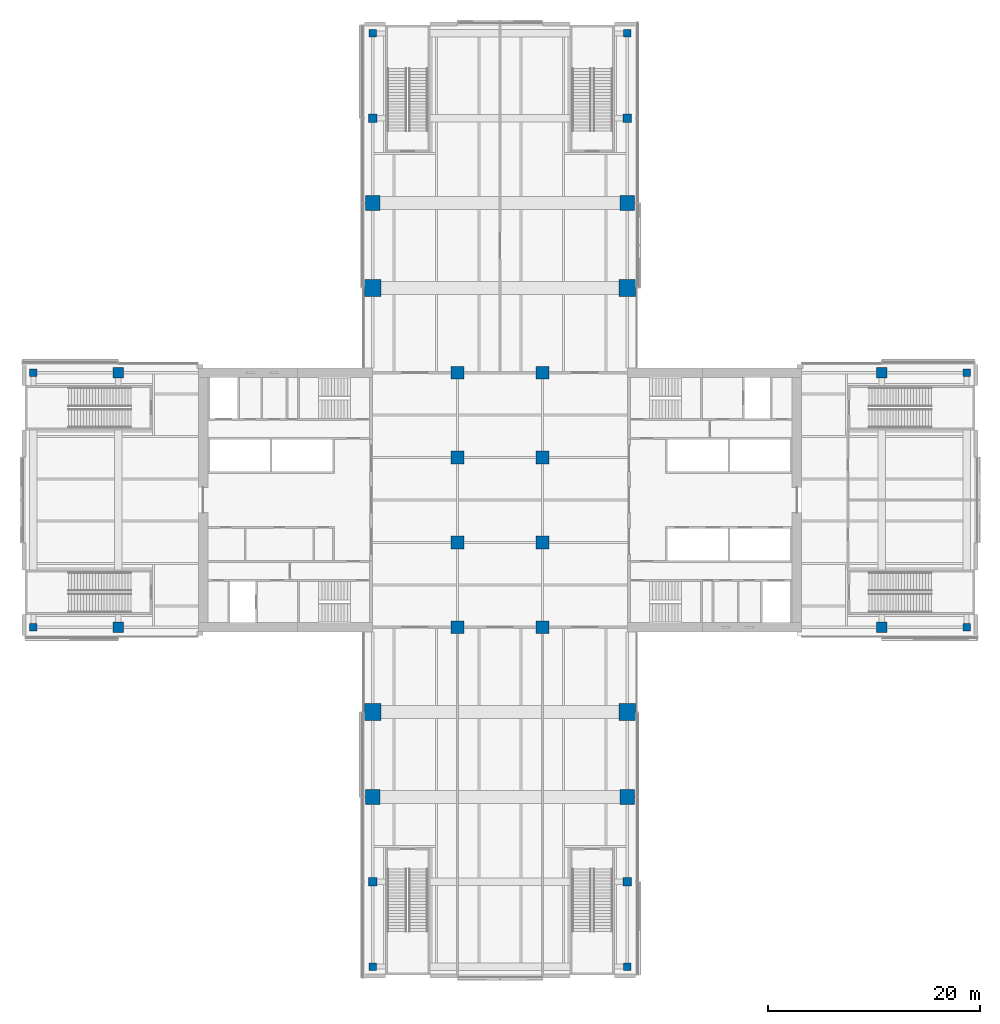
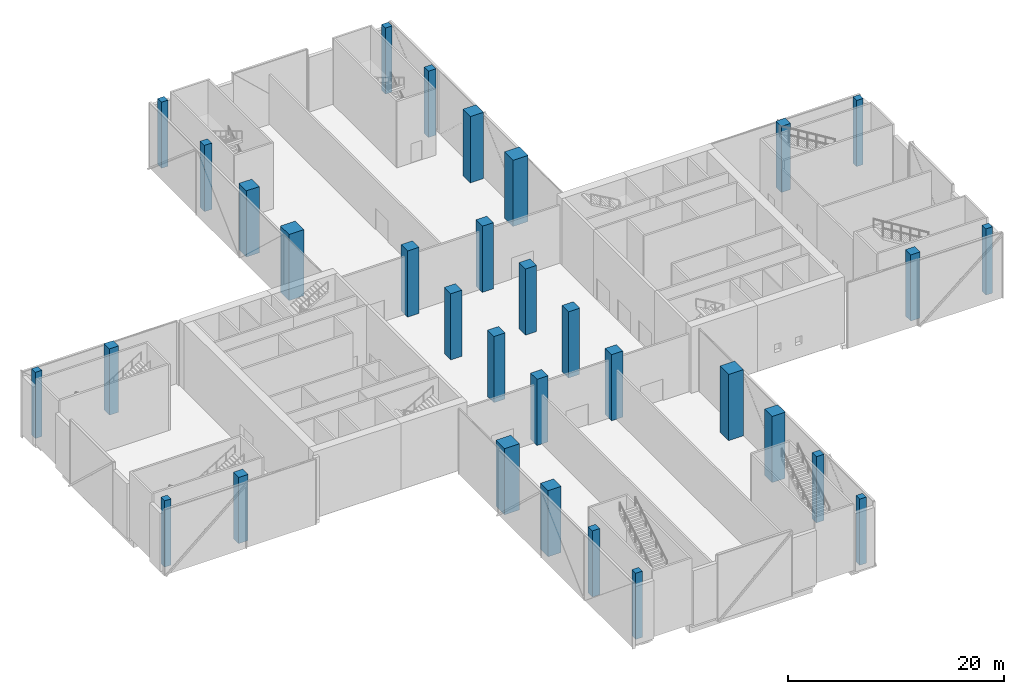
# One storey, part 1 of 25: 32 columns.
"""IFC4 building model written with IfcOpenShell, lengths in metres."""

from ifc_helpers import new_model, si_unit, direction, frame, origin, origin_2d, place, context, subcontext, project, spatial, rectangle, extrude, material, material_profile, profile_set, type_object, element, save


model = new_model("IFC4")

# Units and contexts
model_context = context("Model", 3, precision=1e-05, world=origin(), true_north=direction((0.0, 1.0)))
body_context = subcontext(model_context, "Body", "Model", "MODEL_VIEW")
ifc_project = project(units=[si_unit("LENGTHUNIT", "METRE"), si_unit("AREAUNIT", "SQUARE_METRE"), si_unit("VOLUMEUNIT", "CUBIC_METRE"), si_unit("PLANEANGLEUNIT", "RADIAN"), si_unit("MASSUNIT", "GRAM", prefix="KILO")], contexts=[model_context])

# Site, building, storey
site_placement = place(None, origin())
site = spatial("IfcSite", under=ifc_project, at=site_placement, CompositionType="ELEMENT")
building_placement = place(site_placement, origin())
building = spatial("IfcBuilding", under=site, at=building_placement, Name="Crosswind Convention Tower", CompositionType="ELEMENT")
storey_placement = place(building_placement, frame((0.0, 0.0, 17.5)))
storey = spatial("IfcBuildingStorey", under=building, at=storey_placement, Name="L02", CompositionType="ELEMENT", Elevation=17.5)

# Columns
ifc_material_1 = material(Name="Concrete C70/85", Category="concrete")
ifc_material_profile_1 = material_profile(ifc_material_1, rectangle(XDim=1.0, YDim=1.0, at=origin_2d()), Name="RC 1000X1000")
ifc_profile_set_1 = profile_set([ifc_material_profile_1], Name="Concrete C70/85")
column_type_1 = type_object("IfcColumnType", Name="Column RC 1000X1000", PredefinedType="COLUMN", material=ifc_profile_set_1)
for number, where, z_axis, x_axis, name in (
    (1, (89.0, 88.0, 0.0), (0.0, 0.0, 1.0), (1.0, 0.0, 0.0), "C12 L02 2/E"),
    (2, (89.0, 112.0, 0.0), (0.0, 0.0, 1.0), (1.0, 0.0, 0.0), "C12 L02 2/H"),
    (3, (161.0, 88.0, 0.0), (0.0, 0.0, 1.0), (1.0, 0.0, 0.0), "C12 L02 11/E"),
    (4, (161.0, 112.0, 0.0), (0.0, 0.0, 1.0), (1.0, 0.0, 0.0), "C12 L02 11/H"),
):
    element("IfcColumn", number, at=place(storey_placement, frame(where, z_axis=z_axis, x_axis=x_axis)), inside=storey, type_object=column_type_1, Name=name, PredefinedType="COLUMN", context=body_context, shape_type="SweptSolid", body=[
        extrude(rectangle(XDim=1.0, YDim=1.0, at=origin_2d()), origin(), (0.0, 0.0, 1.0), 7.5),
    ])
ifc_material_profile_2 = material_profile(ifc_material_1, rectangle(XDim=1.199951171875, YDim=1.199951171875, at=origin_2d()), Name="RC 1200X1200")
ifc_profile_set_2 = profile_set([ifc_material_profile_2], Name="Concrete C70/85")
column_type_2 = type_object("IfcColumnType", Name="Column RC 1200X1200", PredefinedType="COLUMN", material=ifc_profile_set_2)
for number, where, z_axis, x_axis, name in (
    (5, (121.0, 88.0, 0.0), (0.0, 0.0, 1.0), (1.0, 0.0, 0.0), "C11 L02 6/E"),
    (6, (121.0, 96.0, 0.0), (0.0, 0.0, 1.0), (1.0, 0.0, 0.0), "C11 L02 6/F"),
    (7, (121.0, 104.0, 0.0), (0.0, 0.0, 1.0), (1.0, 0.0, 0.0), "C11 L02 6/G"),
    (8, (121.0, 112.0, 0.0), (0.0, 0.0, 1.0), (1.0, 0.0, 0.0), "C11 L02 6/H"),
    (9, (129.0, 88.0, 0.0), (0.0, 0.0, 1.0), (1.0, 0.0, 0.0), "C11 L02 7/E"),
    (10, (129.0, 96.0, 0.0), (0.0, 0.0, 1.0), (1.0, 0.0, 0.0), "C11 L02 7/F"),
    (11, (129.0, 104.0, 0.0), (0.0, 0.0, 1.0), (1.0, 0.0, 0.0), "C11 L02 7/G"),
    (12, (129.0, 112.0, 0.0), (0.0, 0.0, 1.0), (1.0, 0.0, 0.0), "C11 L02 7/H"),
):
    element("IfcColumn", number, at=place(storey_placement, frame(where, z_axis=z_axis, x_axis=x_axis)), inside=storey, type_object=column_type_2, Name=name, PredefinedType="COLUMN", context=body_context, shape_type="SweptSolid", body=[
        extrude(rectangle(XDim=1.199951171875, YDim=1.199951171875, at=origin_2d()), origin(), (0.0, 0.0, 1.0), 7.5),
    ])
ifc_material_2 = material(Name="Concrete C80/95", Category="concrete")
ifc_material_profile_3 = material_profile(ifc_material_2, rectangle(XDim=1.39990234375, YDim=1.39990234375, at=origin_2d()), Name="RC 1400X1400")
ifc_profile_set_3 = profile_set([ifc_material_profile_3], Name="Concrete C80/95")
column_type_3 = type_object("IfcColumnType", Name="Column RC 1400X1400", PredefinedType="COLUMN", material=ifc_profile_set_3)
for number, where, z_axis, x_axis, name in (
    (13, (113.0, 72.0, 0.0), (0.0, 0.0, 1.0), (1.0, 0.0, 0.0), "C10 L02 5/C"),
    (14, (113.0, 128.0, 0.0), (0.0, 0.0, 1.0), (1.0, 0.0, 0.0), "C10 L02 5/J"),
    (15, (137.0, 72.0, 0.0), (0.0, 0.0, 1.0), (1.0, 0.0, 0.0), "C10 L02 8/C"),
    (16, (137.0, 128.0, 0.0), (0.0, 0.0, 1.0), (1.0, 0.0, 0.0), "C10 L02 8/J"),
):
    element("IfcColumn", number, at=place(storey_placement, frame(where, z_axis=z_axis, x_axis=x_axis)), inside=storey, type_object=column_type_3, Name=name, PredefinedType="COLUMN", context=body_context, shape_type="SweptSolid", body=[
        extrude(rectangle(XDim=1.39990234375, YDim=1.39990234375, at=origin_2d()), origin(), (0.0, 0.0, 1.0), 7.5),
    ])
ifc_material_profile_4 = material_profile(ifc_material_2, rectangle(XDim=1.60009765625, YDim=1.60009765625, at=origin_2d()), Name="RC 1600X1600")
ifc_profile_set_4 = profile_set([ifc_material_profile_4], Name="Concrete C80/95")
column_type_4 = type_object("IfcColumnType", Name="Column RC 1600X1600", PredefinedType="COLUMN", material=ifc_profile_set_4)
for number, where, z_axis, x_axis, name in (
    (17, (113.0, 80.0, 0.0), (0.0, 0.0, 1.0), (1.0, 0.0, 0.0), "C9 L02 5/D"),
    (18, (113.0, 120.0, 0.0), (0.0, 0.0, 1.0), (1.0, 0.0, 0.0), "C9 L02 5/I"),
    (19, (137.0, 80.0, 0.0), (0.0, 0.0, 1.0), (1.0, 0.0, 0.0), "C9 L02 8/D"),
    (20, (137.0, 120.0, 0.0), (0.0, 0.0, 1.0), (1.0, 0.0, 0.0), "C9 L02 8/I"),
):
    element("IfcColumn", number, at=place(storey_placement, frame(where, z_axis=z_axis, x_axis=x_axis)), inside=storey, type_object=column_type_4, Name=name, PredefinedType="COLUMN", context=body_context, shape_type="SweptSolid", body=[
        extrude(rectangle(XDim=1.60009765625, YDim=1.60009765625, at=origin_2d()), origin(), (0.0, 0.0, 1.0), 7.5),
    ])
ifc_material_3 = material(Name="Concrete C60/75", Category="concrete")
ifc_material_profile_5 = material_profile(ifc_material_3, rectangle(XDim=0.699951171875, YDim=0.699951171875, at=origin_2d()), Name="RC 700X700")
ifc_profile_set_5 = profile_set([ifc_material_profile_5], Name="Concrete C60/75")
column_type_5 = type_object("IfcColumnType", Name="Column RC 700X700", PredefinedType="COLUMN", material=ifc_profile_set_5)
for number, where, z_axis, x_axis, name in (
    (21, (81.0, 88.0, 0.0), (0.0, 0.0, 1.0), (1.0, 0.0, 0.0), "C15 L02 1/E"),
    (22, (81.0, 112.0, 0.0), (0.0, 0.0, 1.0), (1.0, 0.0, 0.0), "C15 L02 1/H"),
    (23, (113.0, 56.0, 0.0), (0.0, 0.0, 1.0), (1.0, 0.0, 0.0), "C15 L02 5/A"),
    (24, (113.0, 144.0, 0.0), (0.0, 0.0, 1.0), (1.0, 0.0, 0.0), "C15 L02 5/L"),
    (25, (137.0, 56.0, 0.0), (0.0, 0.0, 1.0), (1.0, 0.0, 0.0), "C15 L02 8/A"),
    (26, (137.0, 144.0, 0.0), (0.0, 0.0, 1.0), (1.0, 0.0, 0.0), "C15 L02 8/L"),
    (27, (169.0, 88.0, 0.0), (0.0, 0.0, 1.0), (1.0, 0.0, 0.0), "C15 L02 12/E"),
    (28, (169.0, 112.0, 0.0), (0.0, 0.0, 1.0), (1.0, 0.0, 0.0), "C15 L02 12/H"),
):
    element("IfcColumn", number, at=place(storey_placement, frame(where, z_axis=z_axis, x_axis=x_axis)), inside=storey, type_object=column_type_5, Name=name, PredefinedType="COLUMN", context=body_context, shape_type="SweptSolid", body=[
        extrude(rectangle(XDim=0.699951171875, YDim=0.699951171875, at=origin_2d()), origin(), (0.0, 0.0, 1.0), 7.5),
    ])
ifc_material_profile_6 = material_profile(ifc_material_3, rectangle(XDim=0.800048828125, YDim=0.800048828125, at=origin_2d()), Name="RC 800X800")
ifc_profile_set_6 = profile_set([ifc_material_profile_6], Name="Concrete C60/75")
column_type_6 = type_object("IfcColumnType", Name="Column RC 800X800", PredefinedType="COLUMN", material=ifc_profile_set_6)
for number, where, z_axis, x_axis, name in (
    (29, (113.0, 64.0, 0.0), (0.0, 0.0, 1.0), (1.0, 0.0, 0.0), "C14 L02 5/B"),
    (30, (113.0, 136.0, 0.0), (0.0, 0.0, 1.0), (1.0, 0.0, 0.0), "C14 L02 5/K"),
    (31, (137.0, 64.0, 0.0), (0.0, 0.0, 1.0), (1.0, 0.0, 0.0), "C14 L02 8/B"),
    (32, (137.0, 136.0, 0.0), (0.0, 0.0, 1.0), (1.0, 0.0, 0.0), "C14 L02 8/K"),
):
    element("IfcColumn", number, at=place(storey_placement, frame(where, z_axis=z_axis, x_axis=x_axis)), inside=storey, type_object=column_type_6, Name=name, PredefinedType="COLUMN", context=body_context, shape_type="SweptSolid", body=[
        extrude(rectangle(XDim=0.800048828125, YDim=0.800048828125, at=origin_2d()), origin(), (0.0, 0.0, 1.0), 7.5),
    ])

save(model, "model.ifc")
